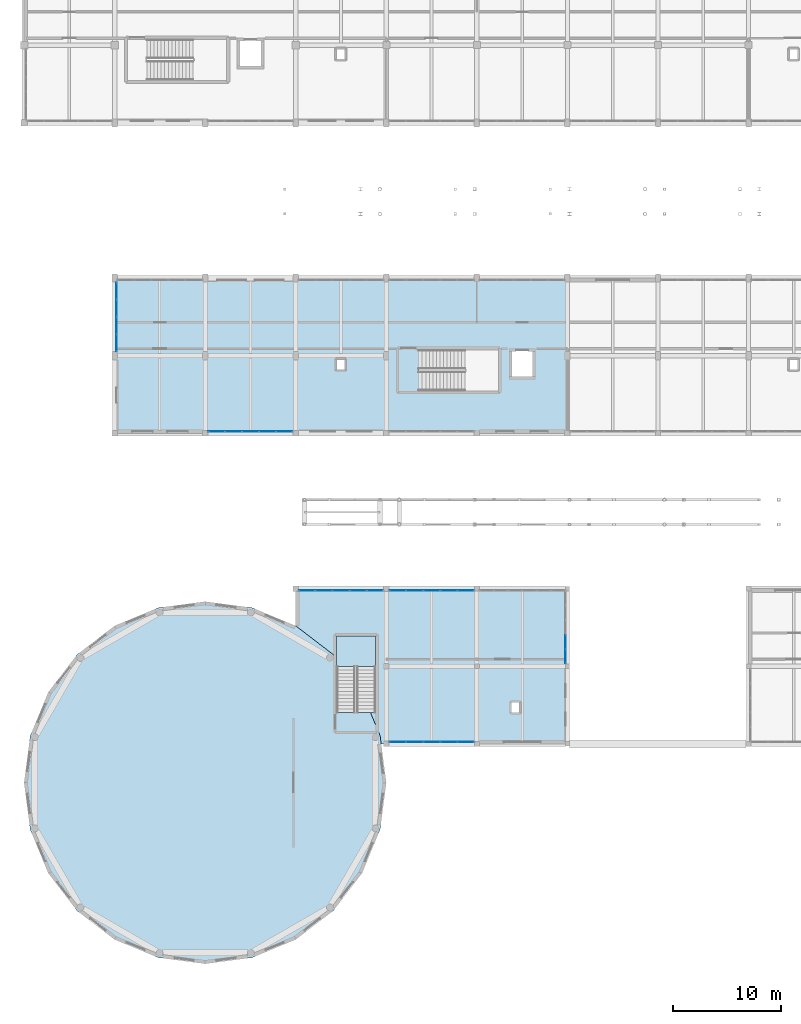
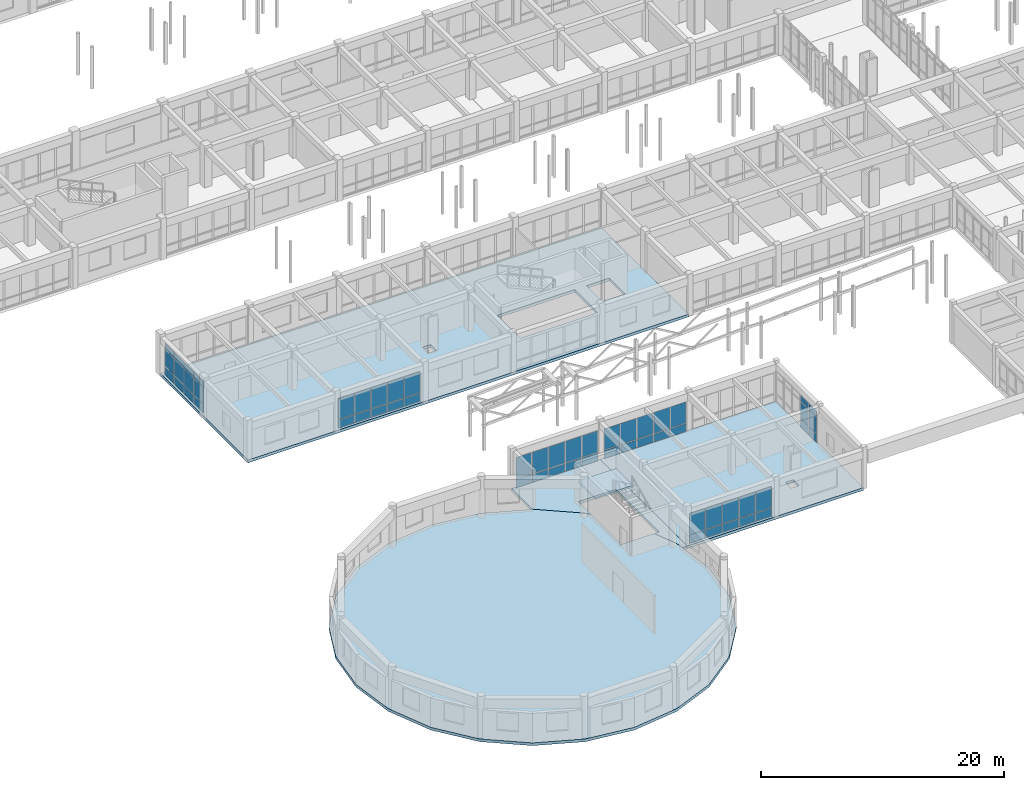
# One storey, part 101 of 147: 58 plates, 5 slabs, 7 elements without a shape of their own.
"""IFC4 building model written with IfcOpenShell, lengths in metres."""

import ifcopenshell
import ifcopenshell.guid

model = None  # the IFC model being written
_history = None  # IfcOwnerHistory: only IFC2X3 demands one
_inside = {}  # id of a spatial element -> (the spatial element, [elements in it])
_under = {}  # id of a project, library or spatial element -> (it, [spatial elements below it])
_declared = {}  # id of a project -> (the project, [libraries it declares])
_typed = {}  # id of a type object -> (the type object, [elements of that type])
_made_of = {}  # id of a material, layer set ... -> (it, [elements and type objects made of it])


def new_model(schema):
    """Start an empty IFC model of exactly this schema.

    Asked for "IFC4X3", IfcOpenShell would pick the latest addendum, in which some entities
    have other attributes; the version numbers below select the first issue.
    IFC2X3 requires an IfcOwnerHistory on every rooted entity: one is made here for all.
    """
    global model, _history
    if schema == "IFC4X3":
        model = ifcopenshell.file(schema_version=(4, 3, 0, 0))
    else:
        model = ifcopenshell.file(schema=schema)
    _inside.clear()
    _under.clear()
    _declared.clear()
    _typed.clear()
    _made_of.clear()
    _history = None
    if model.schema == "IFC2X3":
        org = make("IfcOrganization", Name="unknown")
        user = make(
            "IfcPersonAndOrganization",
            ThePerson=make("IfcPerson", FamilyName="unknown"),
            TheOrganization=org,
        )
        app = make(
            "IfcApplication",
            ApplicationDeveloper=org,
            Version="unknown",
            ApplicationFullName="unknown",
            ApplicationIdentifier="unknown",
        )
        _history = make(
            "IfcOwnerHistory",
            OwningUser=user,
            OwningApplication=app,
            ChangeAction="ADDED",
            CreationDate=0,
        )
    return model


def make(cls, **values):
    """One entity of the class cls with the attributes given. An attribute that is None is left unset."""
    return model.create_entity(
        cls, **{name: value for name, value in values.items() if value is not None}
    )


def rooted(cls, **values):
    """An entity with a GlobalId (a new one), such as an element, a storey or a relation."""
    return make(cls, GlobalId=ifcopenshell.guid.new(), OwnerHistory=_history, **values)


def si_unit(unit_type, name, prefix=None):
    """IfcSIUnit, for example si_unit("LENGTHUNIT", "METRE", prefix="MILLI")."""
    return make("IfcSIUnit", UnitType=unit_type, Prefix=prefix, Name=name)


def assignment(units):
    """IfcUnitAssignment: the units of a project."""
    return None if units is None else make("IfcUnitAssignment", Units=units)


def point(xyz):
    """IfcCartesianPoint."""
    return None if xyz is None else make("IfcCartesianPoint", Coordinates=xyz)


def direction(xyz):
    """IfcDirection."""
    return None if xyz is None else make("IfcDirection", DirectionRatios=xyz)


def frame(location, z_axis=None, x_axis=None):
    """IfcAxis2Placement3D, a coordinate frame: its origin and axes. An axis left out is left unset."""
    return make(
        "IfcAxis2Placement3D",
        Location=point(location),
        Axis=direction(z_axis),
        RefDirection=direction(x_axis),
    )


def frame_2d(location, x_axis=None):
    """IfcAxis2Placement2D, a coordinate frame in the plane: its origin and x axis."""
    return make(
        "IfcAxis2Placement2D", Location=point(location), RefDirection=direction(x_axis)
    )


def origin():
    """The frame at (0, 0, 0) with its axes left unset."""
    return frame((0.0, 0.0, 0.0))


def origin_2d():
    """The frame at (0, 0) in the plane with its x axis left unset."""
    return frame_2d((0.0, 0.0))


def place(relative_to, where):
    """IfcLocalPlacement: puts the frame where relative to a parent placement (None: the world)."""
    return make(
        "IfcLocalPlacement", PlacementRelTo=relative_to, RelativePlacement=where
    )


def context(
    kind, dimensions, precision=None, world=None, true_north=None, identifier=None
):
    """IfcGeometricRepresentationContext, for example the 3D "Model" context."""
    return make(
        "IfcGeometricRepresentationContext",
        ContextIdentifier=identifier,
        ContextType=kind,
        CoordinateSpaceDimension=dimensions,
        Precision=precision,
        WorldCoordinateSystem=world,
        TrueNorth=true_north,
    )


def subcontext(parent, identifier, kind, view, scale=None):
    """IfcGeometricRepresentationSubContext, for example "Body" below "Model"."""
    return make(
        "IfcGeometricRepresentationSubContext",
        ContextIdentifier=identifier,
        ContextType=kind,
        ParentContext=parent,
        TargetScale=scale,
        TargetView=view,
    )


def project(units=None, contexts=None):
    """IfcProject with its units and contexts."""
    return rooted(
        "IfcProject",
        Name="project",
        RepresentationContexts=contexts,
        UnitsInContext=assignment(units),
    )


def spatial(cls, under=None, at=None, **own):
    """A site, building, storey or space (cls), placed at a placement, below another one or the project."""
    s = rooted(cls, ObjectPlacement=at, **own)
    if under is not None:
        _under.setdefault(under.id(), (under, []))[1].append(s)
    return s


def polyline(points):
    """IfcPolyline through the points."""
    return make("IfcPolyline", Points=[point(p) for p in points])


def profile(cls, at=None, kind="AREA", **sizes):
    """A parametric profile (cls). Its sizes go by their IFC names, for example OverallWidth=200.0."""
    return make(cls, ProfileType=kind, Position=at, **sizes)


def rectangle(**sizes):
    """IfcRectangleProfileDef."""
    return profile("IfcRectangleProfileDef", **sizes)


def outline(outer, holes=None, kind="AREA"):
    """IfcArbitraryClosedProfileDef: a profile drawn as a closed curve; with holes, ...WithVoids."""
    if holes is None:
        return make("IfcArbitraryClosedProfileDef", ProfileType=kind, OuterCurve=outer)
    return make(
        "IfcArbitraryProfileDefWithVoids",
        ProfileType=kind,
        OuterCurve=outer,
        InnerCurves=holes,
    )


def extrude(swept, where, along, depth):
    """IfcExtrudedAreaSolid: the profile swept, set in the frame where, extruded along a direction by depth."""
    return make(
        "IfcExtrudedAreaSolid",
        SweptArea=swept,
        Position=where,
        ExtrudedDirection=direction(along),
        Depth=depth,
    )


def shape(context_of_items, identifier, shape_type, items):
    """IfcShapeRepresentation: the items that make up one representation, for example the "Body"."""
    return make(
        "IfcShapeRepresentation",
        ContextOfItems=context_of_items,
        RepresentationIdentifier=identifier,
        RepresentationType=shape_type,
        Items=items,
    )


def material(Name=None, Category=None):
    """IfcMaterial."""
    return make("IfcMaterial", Name=Name, Category=Category)


def layer(
    of_material, thickness, ventilated=None, Name=None, Category=None, Priority=None
):
    """IfcMaterialLayer: one layer of a wall or slab, of a material (None: an air gap)."""
    return make(
        "IfcMaterialLayer",
        Material=of_material,
        LayerThickness=thickness,
        IsVentilated=ventilated,
        Name=Name,
        Category=Category,
        Priority=Priority,
    )


def layer_set(layers, Name=None):
    """IfcMaterialLayerSet."""
    return make("IfcMaterialLayerSet", MaterialLayers=layers, LayerSetName=Name)


def made_of(thing, what):
    """Note that an element or type object is made of a material, layer set ...; save() writes the relation."""
    if what is not None:
        _made_of.setdefault(what.id(), (what, []))[1].append(thing)
    return thing


def type_object(cls, material=None, **own):
    """A type object (cls), such as IfcWallType, which elements share."""
    return made_of(rooted(cls, **own), material)


def element(
    cls,
    number,
    at=None,
    inside=None,
    cuts=None,
    type_object=None,
    material=None,
    context=None,
    identifier="Body",
    shape_type=None,
    held_by="IfcProductDefinitionShape",
    body=None,
    shapes=None,
    **own,
):
    """One element of the class cls, such as IfcWall. Its Tag is "e" and its number.

    at: its placement. inside: the storey or other place that contains it. cuts: it is an
    opening in that element (IfcRelVoidsElement). A single representation is given by context,
    identifier, shape_type and body (its items); several are given by shapes. held_by: the class
    of the entity that holds the representations. save() writes the other relations.
    """
    e = rooted(cls, Tag="e%d" % number, ObjectPlacement=at, **own)
    if body is not None:
        shapes = [shape(context, identifier, shape_type, body)]
    if shapes is not None:
        e.Representation = make(held_by, Representations=shapes)
    if inside is not None:
        _inside.setdefault(inside.id(), (inside, []))[1].append(e)
    if cuts is not None:
        rooted(
            "IfcRelVoidsElement", RelatingBuildingElement=cuts, RelatedOpeningElement=e
        )
    if type_object is not None:
        _typed.setdefault(type_object.id(), (type_object, []))[1].append(e)
    return made_of(e, material)


def aggregate(whole, parts):
    """IfcRelAggregates: a whole, such as a stair, and the parts it consists of."""
    return rooted("IfcRelAggregates", RelatingObject=whole, RelatedObjects=parts)


def save(model, path):
    """Write the relations noted so far, then the file.

    IfcRelAggregates (storeys below a building ...), IfcRelContainedInSpatialStructure (elements
    in a storey), IfcRelDefinesByType, IfcRelAssociatesMaterial and IfcRelDeclares: one each for
    every whole, place, type object, material and project.
    """
    for whole, parts in _under.values():
        aggregate(whole, parts)
    for where, things in _inside.values():
        rooted(
            "IfcRelContainedInSpatialStructure",
            RelatedElements=things,
            RelatingStructure=where,
        )
    for kind, things in _typed.values():
        rooted("IfcRelDefinesByType", RelatedObjects=things, RelatingType=kind)
    for what, things in _made_of.values():
        rooted("IfcRelAssociatesMaterial", RelatedObjects=things, RelatingMaterial=what)
    for by, libraries in _declared.values():
        rooted("IfcRelDeclares", RelatingContext=by, RelatedDefinitions=libraries)
    model.write(path)


model = new_model("IFC4")

# Units and contexts
model_context = context("Model", 3, precision=1e-05, world=origin(), true_north=direction((0.0, 1.0)))
body_context = subcontext(model_context, "Body", "Model", "MODEL_VIEW")
ifc_project = project(units=[si_unit("LENGTHUNIT", "METRE"), si_unit("AREAUNIT", "SQUARE_METRE"), si_unit("VOLUMEUNIT", "CUBIC_METRE"), si_unit("PLANEANGLEUNIT", "RADIAN"), si_unit("MASSUNIT", "GRAM", prefix="KILO")], contexts=[model_context])

# Site, building, storey
site_placement = place(None, origin())
site = spatial("IfcSite", under=ifc_project, at=site_placement, CompositionType="ELEMENT")
building_placement = place(site_placement, origin())
building = spatial("IfcBuilding", under=site, at=building_placement, Name="Malvenik Polytechnic", CompositionType="ELEMENT")
storey_placement = place(building_placement, frame((0.0, 0.0, 5.10009765625)))
storey = spatial("IfcBuildingStorey", under=building, at=storey_placement, Name="L01", CompositionType="ELEMENT", Elevation=5.10009765625)

# Curtain wall, plates
ifc_material_1 = material(Name="Anodised aluminium 6060-T6", Category="aluminium")
curtain_wall_type_1 = type_object("IfcCurtainWallType", Name="ARC-CW-CW-02", PredefinedType="NOTDEFINED", material=ifc_material_1)
curtain_wall_1_placement = place(storey_placement, origin())
curtain_wall_1 = element("IfcCurtainWall", 1, at=curtain_wall_1_placement, inside=storey, type_object=curtain_wall_type_1, Name="Unitised Curtain Wall CW-02 L01 #122", PredefinedType="NOTDEFINED")
ifc_material_2 = material(Name="Insulated low-E double glazing 8-16-8", Category="glass")
ifc_layer_1 = layer(ifc_material_2, 0.028076171875)
ifc_layer_set_1 = layer_set([ifc_layer_1], Name="Insulated low-E double glazing 8-16-8")
plate_type_1 = type_object("IfcPlateType", Name="ARC-CWP-CP-GLZ28", PredefinedType="CURTAIN_PANEL", material=ifc_layer_set_1)
plate_1_placement = place(storey_placement, frame((24.146484375, 50.570068359375, 0.929931640625), z_axis=(0.0, 0.0, 1.0), x_axis=(-1.0, 0.0, 0.0)))
plate_1 = element("IfcPlate", 2, at=plate_1_placement, type_object=plate_type_1, Name="CW-02 panel 1.2", PredefinedType="CURTAIN_PANEL", context=body_context, shape_type="SweptSolid", body=[
    extrude(rectangle(XDim=1.49072265625, YDim=0.028076171875, at=origin_2d()), origin(), (0.0, 0.0, 1.0), 2.1201171875),
])
plate_2_placement = place(storey_placement, frame((22.580810546875, 50.570068359375, 0.929931640625), z_axis=(0.0, 0.0, 1.0), x_axis=(-1.0, 0.0, 0.0)))
plate_2 = element("IfcPlate", 3, at=plate_2_placement, type_object=plate_type_1, Name="CW-02 panel 2.2", PredefinedType="CURTAIN_PANEL", context=body_context, shape_type="SweptSolid", body=[
    extrude(rectangle(XDim=1.520751953125, YDim=0.028076171875, at=origin_2d()), origin(), (0.0, 0.0, 1.0), 2.1201171875),
])
plate_3_placement = place(storey_placement, frame((21.0, 50.570068359375, 0.929931640625), z_axis=(0.0, 0.0, 1.0), x_axis=(-1.0, 0.0, 0.0)))
plate_3 = element("IfcPlate", 4, at=plate_3_placement, type_object=plate_type_1, Name="CW-02 panel 3.2", PredefinedType="CURTAIN_PANEL", context=body_context, shape_type="SweptSolid", body=[
    extrude(rectangle(XDim=1.520751953125, YDim=0.028076171875, at=origin_2d()), origin(), (0.0, 0.0, 1.0), 2.1201171875),
])
plate_4_placement = place(storey_placement, frame((19.419189453125, 50.570068359375, 0.929931640625), z_axis=(0.0, 0.0, 1.0), x_axis=(-1.0, 0.0, 0.0)))
plate_4 = element("IfcPlate", 5, at=plate_4_placement, type_object=plate_type_1, Name="CW-02 panel 4.2", PredefinedType="CURTAIN_PANEL", context=body_context, shape_type="SweptSolid", body=[
    extrude(rectangle(XDim=1.520751953125, YDim=0.028076171875, at=origin_2d()), origin(), (0.0, 0.0, 1.0), 2.1201171875),
])
plate_5_placement = place(storey_placement, frame((17.853515625, 50.570068359375, 0.929931640625), z_axis=(0.0, 0.0, 1.0), x_axis=(-1.0, 0.0, 0.0)))
plate_5 = element("IfcPlate", 6, at=plate_5_placement, type_object=plate_type_1, Name="CW-02 panel 5.2", PredefinedType="CURTAIN_PANEL", context=body_context, shape_type="SweptSolid", body=[
    extrude(rectangle(XDim=1.49072265625, YDim=0.028076171875, at=origin_2d()), origin(), (0.0, 0.0, 1.0), 2.1201171875),
])

curtain_wall_type_2 = type_object("IfcCurtainWallType", Name="ARC-CW-CW-05", PredefinedType="NOTDEFINED", material=ifc_material_1)
curtain_wall_2_placement = place(storey_placement, origin())
curtain_wall_2 = element("IfcCurtainWall", 7, at=curtain_wall_2_placement, inside=storey, type_object=curtain_wall_type_2, Name="Unitised Curtain Wall CW-05 L01 #123", PredefinedType="NOTDEFINED")
plate_6_placement = place(storey_placement, frame((8.570068359375, 58.794677734375, 0.97998046875), z_axis=(0.0, 0.0, 1.0), x_axis=(0.0, 1.0, 0.0)))
plate_6 = element("IfcPlate", 8, at=plate_6_placement, type_object=plate_type_1, Name="CW-05 panel 1.2", PredefinedType="CURTAIN_PANEL", context=body_context, shape_type="SweptSolid", body=[
    extrude(rectangle(XDim=1.5234375, YDim=0.028076171875, at=origin_2d()), origin(), (0.0, 0.0, 1.0), 1.64990234375),
])
plate_7_placement = place(storey_placement, frame((8.570068359375, 58.794677734375, 2.68994140625), z_axis=(0.0, 0.0, 1.0), x_axis=(0.0, 1.0, 0.0)))
plate_7 = element("IfcPlate", 9, at=plate_7_placement, type_object=plate_type_1, Name="CW-05 panel 1.3", PredefinedType="CURTAIN_PANEL", context=body_context, shape_type="SweptSolid", body=[
    extrude(rectangle(XDim=1.5234375, YDim=0.028076171875, at=origin_2d()), origin(), (0.0, 0.0, 1.0), 0.56005859375),
])
plate_8_placement = place(storey_placement, frame((8.570068359375, 60.393310546875, 0.97998046875), z_axis=(0.0, 0.0, 1.0), x_axis=(0.0, 1.0, 0.0)))
plate_8 = element("IfcPlate", 10, at=plate_8_placement, type_object=plate_type_1, Name="CW-05 panel 2.2", PredefinedType="CURTAIN_PANEL", context=body_context, shape_type="SweptSolid", body=[
    extrude(rectangle(XDim=1.553466796875, YDim=0.028076171875, at=origin_2d()), origin(), (0.0, 0.0, 1.0), 1.64990234375),
])
plate_9_placement = place(storey_placement, frame((8.570068359375, 60.393310546875, 2.68994140625), z_axis=(0.0, 0.0, 1.0), x_axis=(0.0, 1.0, 0.0)))
plate_9 = element("IfcPlate", 11, at=plate_9_placement, type_object=plate_type_1, Name="CW-05 panel 2.3", PredefinedType="CURTAIN_PANEL", context=body_context, shape_type="SweptSolid", body=[
    extrude(rectangle(XDim=1.553466796875, YDim=0.028076171875, at=origin_2d()), origin(), (0.0, 0.0, 1.0), 0.56005859375),
])
plate_10_placement = place(storey_placement, frame((8.570068359375, 62.0068359375, 0.97998046875), z_axis=(0.0, 0.0, 1.0), x_axis=(0.0, 1.0, 0.0)))
plate_10 = element("IfcPlate", 12, at=plate_10_placement, type_object=plate_type_1, Name="CW-05 panel 3.2", PredefinedType="CURTAIN_PANEL", context=body_context, shape_type="SweptSolid", body=[
    extrude(rectangle(XDim=1.553466796875, YDim=0.028076171875, at=origin_2d()), origin(), (0.0, 0.0, 1.0), 1.64990234375),
])
plate_11_placement = place(storey_placement, frame((8.570068359375, 62.0068359375, 2.68994140625), z_axis=(0.0, 0.0, 1.0), x_axis=(0.0, 1.0, 0.0)))
plate_11 = element("IfcPlate", 13, at=plate_11_placement, type_object=plate_type_1, Name="CW-05 panel 3.3", PredefinedType="CURTAIN_PANEL", context=body_context, shape_type="SweptSolid", body=[
    extrude(rectangle(XDim=1.553466796875, YDim=0.028076171875, at=origin_2d()), origin(), (0.0, 0.0, 1.0), 0.56005859375),
])
plate_12_placement = place(storey_placement, frame((8.570068359375, 63.605224609375, 0.97998046875), z_axis=(0.0, 0.0, 1.0), x_axis=(0.0, 1.0, 0.0)))
plate_12 = element("IfcPlate", 14, at=plate_12_placement, type_object=plate_type_1, Name="CW-05 panel 4.2", PredefinedType="CURTAIN_PANEL", context=body_context, shape_type="SweptSolid", body=[
    extrude(rectangle(XDim=1.5234375, YDim=0.028076171875, at=origin_2d()), origin(), (0.0, 0.0, 1.0), 1.64990234375),
])
plate_13_placement = place(storey_placement, frame((8.570068359375, 63.605224609375, 2.68994140625), z_axis=(0.0, 0.0, 1.0), x_axis=(0.0, 1.0, 0.0)))
plate_13 = element("IfcPlate", 15, at=plate_13_placement, type_object=plate_type_1, Name="CW-05 panel 4.3", PredefinedType="CURTAIN_PANEL", context=body_context, shape_type="SweptSolid", body=[
    extrude(rectangle(XDim=1.5234375, YDim=0.028076171875, at=origin_2d()), origin(), (0.0, 0.0, 1.0), 0.56005859375),
])

curtain_wall_3_placement = place(storey_placement, origin())
curtain_wall_3 = element("IfcCurtainWall", 16, at=curtain_wall_3_placement, inside=storey, type_object=curtain_wall_type_1, Name="Unitised Curtain Wall CW-02 L01 #130", PredefinedType="NOTDEFINED")
plate_14_placement = place(storey_placement, frame((26.25341796875, 35.830078125, 0.929931640625), z_axis=(0.0, 0.0, 1.0), x_axis=(1.0, 0.0, 0.0)))
plate_14 = element("IfcPlate", 17, at=plate_14_placement, type_object=plate_type_1, Name="CW-02 panel 1.2", PredefinedType="CURTAIN_PANEL", context=body_context, shape_type="SweptSolid", body=[
    extrude(rectangle(XDim=1.49072265625, YDim=0.028076171875, at=origin_2d()), origin(), (0.0, 0.0, 1.0), 2.169921875),
])
plate_15_placement = place(storey_placement, frame((27.819091796875, 35.830078125, 0.929931640625), z_axis=(0.0, 0.0, 1.0), x_axis=(1.0, 0.0, 0.0)))
plate_15 = element("IfcPlate", 18, at=plate_15_placement, type_object=plate_type_1, Name="CW-02 panel 2.2", PredefinedType="CURTAIN_PANEL", context=body_context, shape_type="SweptSolid", body=[
    extrude(rectangle(XDim=1.520751953125, YDim=0.028076171875, at=origin_2d()), origin(), (0.0, 0.0, 1.0), 2.169921875),
])
plate_16_placement = place(storey_placement, frame((29.39990234375, 35.830078125, 0.929931640625), z_axis=(0.0, 0.0, 1.0), x_axis=(1.0, 0.0, 0.0)))
plate_16 = element("IfcPlate", 19, at=plate_16_placement, type_object=plate_type_1, Name="CW-02 panel 3.2", PredefinedType="CURTAIN_PANEL", context=body_context, shape_type="SweptSolid", body=[
    extrude(rectangle(XDim=1.520751953125, YDim=0.028076171875, at=origin_2d()), origin(), (0.0, 0.0, 1.0), 2.169921875),
])
plate_17_placement = place(storey_placement, frame((30.980712890625, 35.830078125, 0.929931640625), z_axis=(0.0, 0.0, 1.0), x_axis=(1.0, 0.0, 0.0)))
plate_17 = element("IfcPlate", 20, at=plate_17_placement, type_object=plate_type_1, Name="CW-02 panel 4.2", PredefinedType="CURTAIN_PANEL", context=body_context, shape_type="SweptSolid", body=[
    extrude(rectangle(XDim=1.520751953125, YDim=0.028076171875, at=origin_2d()), origin(), (0.0, 0.0, 1.0), 2.169921875),
])
plate_18_placement = place(storey_placement, frame((32.546630859375, 35.830078125, 0.929931640625), z_axis=(0.0, 0.0, 1.0), x_axis=(1.0, 0.0, 0.0)))
plate_18 = element("IfcPlate", 21, at=plate_18_placement, type_object=plate_type_1, Name="CW-02 panel 5.2", PredefinedType="CURTAIN_PANEL", context=body_context, shape_type="SweptSolid", body=[
    extrude(rectangle(XDim=1.49072265625, YDim=0.028076171875, at=origin_2d()), origin(), (0.0, 0.0, 1.0), 2.169921875),
])

curtain_wall_4_placement = place(storey_placement, origin())
curtain_wall_4 = element("IfcCurtainWall", 22, at=curtain_wall_4_placement, inside=storey, type_object=curtain_wall_type_1, Name="Unitised Curtain Wall CW-02 L01 #131", PredefinedType="NOTDEFINED")
plate_19_placement = place(storey_placement, frame((34.656005859375, 35.830078125, 0.929931640625), z_axis=(0.0, 0.0, 1.0), x_axis=(1.0, 0.0, 0.0)))
plate_19 = element("IfcPlate", 23, at=plate_19_placement, type_object=plate_type_1, Name="CW-02 panel 1.2", PredefinedType="CURTAIN_PANEL", context=body_context, shape_type="SweptSolid", body=[
    extrude(rectangle(XDim=1.495849609375, YDim=0.028076171875, at=origin_2d()), origin(), (0.0, 0.0, 1.0), 2.1201171875),
])
plate_20_placement = place(storey_placement, frame((36.226806640625, 35.830078125, 0.929931640625), z_axis=(0.0, 0.0, 1.0), x_axis=(1.0, 0.0, 0.0)))
plate_20 = element("IfcPlate", 24, at=plate_20_placement, type_object=plate_type_1, Name="CW-02 panel 2.2", PredefinedType="CURTAIN_PANEL", context=body_context, shape_type="SweptSolid", body=[
    extrude(rectangle(XDim=1.52587890625, YDim=0.028076171875, at=origin_2d()), origin(), (0.0, 0.0, 1.0), 2.1201171875),
])
plate_21_placement = place(storey_placement, frame((37.8125, 35.830078125, 0.929931640625), z_axis=(0.0, 0.0, 1.0), x_axis=(1.0, 0.0, 0.0)))
plate_21 = element("IfcPlate", 25, at=plate_21_placement, type_object=plate_type_1, Name="CW-02 panel 3.2", PredefinedType="CURTAIN_PANEL", context=body_context, shape_type="SweptSolid", body=[
    extrude(rectangle(XDim=1.52587890625, YDim=0.028076171875, at=origin_2d()), origin(), (0.0, 0.0, 1.0), 2.1201171875),
])
plate_22_placement = place(storey_placement, frame((39.398193359375, 35.830078125, 0.929931640625), z_axis=(0.0, 0.0, 1.0), x_axis=(1.0, 0.0, 0.0)))
plate_22 = element("IfcPlate", 26, at=plate_22_placement, type_object=plate_type_1, Name="CW-02 panel 4.2", PredefinedType="CURTAIN_PANEL", context=body_context, shape_type="SweptSolid", body=[
    extrude(rectangle(XDim=1.52587890625, YDim=0.028076171875, at=origin_2d()), origin(), (0.0, 0.0, 1.0), 2.1201171875),
])
plate_23_placement = place(storey_placement, frame((40.968994140625, 35.830078125, 0.929931640625), z_axis=(0.0, 0.0, 1.0), x_axis=(1.0, 0.0, 0.0)))
plate_23 = element("IfcPlate", 27, at=plate_23_placement, type_object=plate_type_1, Name="CW-02 panel 5.2", PredefinedType="CURTAIN_PANEL", context=body_context, shape_type="SweptSolid", body=[
    extrude(rectangle(XDim=1.495849609375, YDim=0.028076171875, at=origin_2d()), origin(), (0.0, 0.0, 1.0), 2.1201171875),
])

curtain_wall_5_placement = place(storey_placement, origin())
curtain_wall_5 = element("IfcCurtainWall", 28, at=curtain_wall_5_placement, inside=storey, type_object=curtain_wall_type_2, Name="Unitised Curtain Wall CW-05 L01 #133", PredefinedType="NOTDEFINED")
plate_24_placement = place(storey_placement, frame((50.22998046875, 31.039306640625, 0.97998046875), z_axis=(0.0, 0.0, 1.0), x_axis=(0.0, -1.0, 0.0)))
plate_24 = element("IfcPlate", 29, at=plate_24_placement, type_object=plate_type_1, Name="CW-05 panel 4.2", PredefinedType="CURTAIN_PANEL", context=body_context, shape_type="SweptSolid", body=[
    extrude(rectangle(XDim=1.30078125, YDim=0.028076171875, at=origin_2d()), origin(), (0.0, 0.0, 1.0), 1.64990234375),
])
plate_25_placement = place(storey_placement, frame((50.22998046875, 31.039306640625, 2.68994140625), z_axis=(0.0, 0.0, 1.0), x_axis=(0.0, -1.0, 0.0)))
plate_25 = element("IfcPlate", 30, at=plate_25_placement, type_object=plate_type_1, Name="CW-05 panel 4.3", PredefinedType="CURTAIN_PANEL", context=body_context, shape_type="SweptSolid", body=[
    extrude(rectangle(XDim=1.30078125, YDim=0.028076171875, at=origin_2d()), origin(), (0.0, 0.0, 1.0), 0.56005859375),
])
plate_26_placement = place(storey_placement, frame((50.22998046875, 29.693359375, 0.97998046875), z_axis=(0.0, 0.0, 1.0), x_axis=(0.0, -1.0, 0.0)))
plate_26 = element("IfcPlate", 31, at=plate_26_placement, type_object=plate_type_1, Name="CW-05 panel 5.2", PredefinedType="CURTAIN_PANEL", context=body_context, shape_type="SweptSolid", body=[
    extrude(rectangle(XDim=1.270751953125, YDim=0.028076171875, at=origin_2d()), origin(), (0.0, 0.0, 1.0), 1.64990234375),
])
plate_27_placement = place(storey_placement, frame((50.22998046875, 29.693359375, 2.68994140625), z_axis=(0.0, 0.0, 1.0), x_axis=(0.0, -1.0, 0.0)))
plate_27 = element("IfcPlate", 32, at=plate_27_placement, type_object=plate_type_1, Name="CW-05 panel 5.3", PredefinedType="CURTAIN_PANEL", context=body_context, shape_type="SweptSolid", body=[
    extrude(rectangle(XDim=1.270751953125, YDim=0.028076171875, at=origin_2d()), origin(), (0.0, 0.0, 1.0), 0.56005859375),
])

curtain_wall_6_placement = place(storey_placement, origin())
curtain_wall_6 = element("IfcCurtainWall", 33, at=curtain_wall_6_placement, inside=storey, type_object=curtain_wall_type_1, Name="Unitised Curtain Wall CW-02 L01 #134", PredefinedType="NOTDEFINED")
plate_28_placement = place(storey_placement, frame((40.968994140625, 21.77001953125, 0.929931640625), z_axis=(0.0, 0.0, 1.0), x_axis=(-1.0, 0.0, 0.0)))
plate_28 = element("IfcPlate", 34, at=plate_28_placement, type_object=plate_type_1, Name="CW-02 panel 1.2", PredefinedType="CURTAIN_PANEL", context=body_context, shape_type="SweptSolid", body=[
    extrude(rectangle(XDim=1.495849609375, YDim=0.028076171875, at=origin_2d()), origin(), (0.0, 0.0, 1.0), 2.1201171875),
])
plate_29_placement = place(storey_placement, frame((39.398193359375, 21.77001953125, 0.929931640625), z_axis=(0.0, 0.0, 1.0), x_axis=(-1.0, 0.0, 0.0)))
plate_29 = element("IfcPlate", 35, at=plate_29_placement, type_object=plate_type_1, Name="CW-02 panel 2.2", PredefinedType="CURTAIN_PANEL", context=body_context, shape_type="SweptSolid", body=[
    extrude(rectangle(XDim=1.52587890625, YDim=0.028076171875, at=origin_2d()), origin(), (0.0, 0.0, 1.0), 2.1201171875),
])
plate_30_placement = place(storey_placement, frame((37.8125, 21.77001953125, 0.929931640625), z_axis=(0.0, 0.0, 1.0), x_axis=(-1.0, 0.0, 0.0)))
plate_30 = element("IfcPlate", 36, at=plate_30_placement, type_object=plate_type_1, Name="CW-02 panel 3.2", PredefinedType="CURTAIN_PANEL", context=body_context, shape_type="SweptSolid", body=[
    extrude(rectangle(XDim=1.52587890625, YDim=0.028076171875, at=origin_2d()), origin(), (0.0, 0.0, 1.0), 2.1201171875),
])
plate_31_placement = place(storey_placement, frame((36.226806640625, 21.77001953125, 0.929931640625), z_axis=(0.0, 0.0, 1.0), x_axis=(-1.0, 0.0, 0.0)))
plate_31 = element("IfcPlate", 37, at=plate_31_placement, type_object=plate_type_1, Name="CW-02 panel 4.2", PredefinedType="CURTAIN_PANEL", context=body_context, shape_type="SweptSolid", body=[
    extrude(rectangle(XDim=1.52587890625, YDim=0.028076171875, at=origin_2d()), origin(), (0.0, 0.0, 1.0), 2.1201171875),
])
plate_32_placement = place(storey_placement, frame((34.656005859375, 21.77001953125, 0.929931640625), z_axis=(0.0, 0.0, 1.0), x_axis=(-1.0, 0.0, 0.0)))
plate_32 = element("IfcPlate", 38, at=plate_32_placement, type_object=plate_type_1, Name="CW-02 panel 5.2", PredefinedType="CURTAIN_PANEL", context=body_context, shape_type="SweptSolid", body=[
    extrude(rectangle(XDim=1.495849609375, YDim=0.028076171875, at=origin_2d()), origin(), (0.0, 0.0, 1.0), 2.1201171875),
])

# Plate
ifc_material_3 = material(Name="Insulated aluminium spandrel cassette 42mm", Category="aluminium")
ifc_layer_2 = layer(ifc_material_3, 0.0419921875)
ifc_layer_set_2 = layer_set([ifc_layer_2], Name="Insulated aluminium spandrel cassette 42mm")
plate_type_2 = type_object("IfcPlateType", Name="ARC-CWP-CP-SPN42", PredefinedType="CURTAIN_PANEL", material=ifc_layer_set_2)
plate_33_placement = place(storey_placement, frame((24.146484375, 50.570068359375, 0.059814453125), z_axis=(0.0, 0.0, 1.0), x_axis=(-1.0, 0.0, 0.0)))
plate_33 = element("IfcPlate", 39, at=plate_33_placement, type_object=plate_type_2, Name="CW-02 panel 1.1", PredefinedType="CURTAIN_PANEL", context=body_context, shape_type="SweptSolid", body=[
    extrude(rectangle(XDim=1.49072265625, YDim=0.028076171875, at=origin_2d()), origin(), (0.0, 0.0, 1.0), 0.81005859375),
])

plate_34_placement = place(storey_placement, frame((22.580810546875, 50.570068359375, 0.059814453125), z_axis=(0.0, 0.0, 1.0), x_axis=(-1.0, 0.0, 0.0)))
plate_34 = element("IfcPlate", 40, at=plate_34_placement, type_object=plate_type_2, Name="CW-02 panel 2.1", PredefinedType="CURTAIN_PANEL", context=body_context, shape_type="SweptSolid", body=[
    extrude(rectangle(XDim=1.520751953125, YDim=0.028076171875, at=origin_2d()), origin(), (0.0, 0.0, 1.0), 0.81005859375),
])

plate_35_placement = place(storey_placement, frame((21.0, 50.570068359375, 0.059814453125), z_axis=(0.0, 0.0, 1.0), x_axis=(-1.0, 0.0, 0.0)))
plate_35 = element("IfcPlate", 41, at=plate_35_placement, type_object=plate_type_2, Name="CW-02 panel 3.1", PredefinedType="CURTAIN_PANEL", context=body_context, shape_type="SweptSolid", body=[
    extrude(rectangle(XDim=1.520751953125, YDim=0.028076171875, at=origin_2d()), origin(), (0.0, 0.0, 1.0), 0.81005859375),
])

plate_36_placement = place(storey_placement, frame((19.419189453125, 50.570068359375, 0.059814453125), z_axis=(0.0, 0.0, 1.0), x_axis=(-1.0, 0.0, 0.0)))
plate_36 = element("IfcPlate", 42, at=plate_36_placement, type_object=plate_type_2, Name="CW-02 panel 4.1", PredefinedType="CURTAIN_PANEL", context=body_context, shape_type="SweptSolid", body=[
    extrude(rectangle(XDim=1.520751953125, YDim=0.028076171875, at=origin_2d()), origin(), (0.0, 0.0, 1.0), 0.81005859375),
])

plate_37_placement = place(storey_placement, frame((17.853515625, 50.570068359375, 0.059814453125), z_axis=(0.0, 0.0, 1.0), x_axis=(-1.0, 0.0, 0.0)))
plate_37 = element("IfcPlate", 43, at=plate_37_placement, type_object=plate_type_2, Name="CW-02 panel 5.1", PredefinedType="CURTAIN_PANEL", context=body_context, shape_type="SweptSolid", body=[
    extrude(rectangle(XDim=1.49072265625, YDim=0.028076171875, at=origin_2d()), origin(), (0.0, 0.0, 1.0), 0.81005859375),
])

aggregate(curtain_wall_1, [plate_33, plate_1, plate_34, plate_2, plate_35, plate_3, plate_36, plate_4, plate_37, plate_5])

plate_38_placement = place(storey_placement, frame((8.570068359375, 58.794677734375, 0.06005859375), z_axis=(0.0, 0.0, 1.0), x_axis=(0.0, 1.0, 0.0)))
plate_38 = element("IfcPlate", 44, at=plate_38_placement, type_object=plate_type_2, Name="CW-05 panel 1.1", PredefinedType="CURTAIN_PANEL", context=body_context, shape_type="SweptSolid", body=[
    extrude(rectangle(XDim=1.5234375, YDim=0.028076171875, at=origin_2d()), origin(), (0.0, 0.0, 1.0), 0.860107421875),
])

plate_39_placement = place(storey_placement, frame((8.570068359375, 60.393310546875, 0.06005859375), z_axis=(0.0, 0.0, 1.0), x_axis=(0.0, 1.0, 0.0)))
plate_39 = element("IfcPlate", 45, at=plate_39_placement, type_object=plate_type_2, Name="CW-05 panel 2.1", PredefinedType="CURTAIN_PANEL", context=body_context, shape_type="SweptSolid", body=[
    extrude(rectangle(XDim=1.553466796875, YDim=0.028076171875, at=origin_2d()), origin(), (0.0, 0.0, 1.0), 0.860107421875),
])

plate_40_placement = place(storey_placement, frame((8.570068359375, 62.0068359375, 0.06005859375), z_axis=(0.0, 0.0, 1.0), x_axis=(0.0, 1.0, 0.0)))
plate_40 = element("IfcPlate", 46, at=plate_40_placement, type_object=plate_type_2, Name="CW-05 panel 3.1", PredefinedType="CURTAIN_PANEL", context=body_context, shape_type="SweptSolid", body=[
    extrude(rectangle(XDim=1.553466796875, YDim=0.028076171875, at=origin_2d()), origin(), (0.0, 0.0, 1.0), 0.860107421875),
])

plate_41_placement = place(storey_placement, frame((8.570068359375, 63.605224609375, 0.06005859375), z_axis=(0.0, 0.0, 1.0), x_axis=(0.0, 1.0, 0.0)))
plate_41 = element("IfcPlate", 47, at=plate_41_placement, type_object=plate_type_2, Name="CW-05 panel 4.1", PredefinedType="CURTAIN_PANEL", context=body_context, shape_type="SweptSolid", body=[
    extrude(rectangle(XDim=1.5234375, YDim=0.028076171875, at=origin_2d()), origin(), (0.0, 0.0, 1.0), 0.860107421875),
])

aggregate(curtain_wall_2, [plate_38, plate_6, plate_7, plate_39, plate_8, plate_9, plate_40, plate_10, plate_11, plate_41, plate_12, plate_13])

plate_42_placement = place(storey_placement, frame((26.25341796875, 35.830078125, 0.059814453125), z_axis=(0.0, 0.0, 1.0), x_axis=(1.0, 0.0, 0.0)))
plate_42 = element("IfcPlate", 48, at=plate_42_placement, type_object=plate_type_2, Name="CW-02 panel 1.1", PredefinedType="CURTAIN_PANEL", context=body_context, shape_type="SweptSolid", body=[
    extrude(rectangle(XDim=1.49072265625, YDim=0.028076171875, at=origin_2d()), origin(), (0.0, 0.0, 1.0), 0.81005859375),
])

plate_43_placement = place(storey_placement, frame((27.819091796875, 35.830078125, 0.059814453125), z_axis=(0.0, 0.0, 1.0), x_axis=(1.0, 0.0, 0.0)))
plate_43 = element("IfcPlate", 49, at=plate_43_placement, type_object=plate_type_2, Name="CW-02 panel 2.1", PredefinedType="CURTAIN_PANEL", context=body_context, shape_type="SweptSolid", body=[
    extrude(rectangle(XDim=1.520751953125, YDim=0.028076171875, at=origin_2d()), origin(), (0.0, 0.0, 1.0), 0.81005859375),
])

plate_44_placement = place(storey_placement, frame((29.39990234375, 35.830078125, 0.059814453125), z_axis=(0.0, 0.0, 1.0), x_axis=(1.0, 0.0, 0.0)))
plate_44 = element("IfcPlate", 50, at=plate_44_placement, type_object=plate_type_2, Name="CW-02 panel 3.1", PredefinedType="CURTAIN_PANEL", context=body_context, shape_type="SweptSolid", body=[
    extrude(rectangle(XDim=1.520751953125, YDim=0.028076171875, at=origin_2d()), origin(), (0.0, 0.0, 1.0), 0.81005859375),
])

plate_45_placement = place(storey_placement, frame((30.980712890625, 35.830078125, 0.059814453125), z_axis=(0.0, 0.0, 1.0), x_axis=(1.0, 0.0, 0.0)))
plate_45 = element("IfcPlate", 51, at=plate_45_placement, type_object=plate_type_2, Name="CW-02 panel 4.1", PredefinedType="CURTAIN_PANEL", context=body_context, shape_type="SweptSolid", body=[
    extrude(rectangle(XDim=1.520751953125, YDim=0.028076171875, at=origin_2d()), origin(), (0.0, 0.0, 1.0), 0.81005859375),
])

plate_46_placement = place(storey_placement, frame((32.546630859375, 35.830078125, 0.059814453125), z_axis=(0.0, 0.0, 1.0), x_axis=(1.0, 0.0, 0.0)))
plate_46 = element("IfcPlate", 52, at=plate_46_placement, type_object=plate_type_2, Name="CW-02 panel 5.1", PredefinedType="CURTAIN_PANEL", context=body_context, shape_type="SweptSolid", body=[
    extrude(rectangle(XDim=1.49072265625, YDim=0.028076171875, at=origin_2d()), origin(), (0.0, 0.0, 1.0), 0.81005859375),
])

aggregate(curtain_wall_3, [plate_42, plate_14, plate_43, plate_15, plate_44, plate_16, plate_45, plate_17, plate_46, plate_18])

plate_47_placement = place(storey_placement, frame((34.656005859375, 35.830078125, 0.059814453125), z_axis=(0.0, 0.0, 1.0), x_axis=(1.0, 0.0, 0.0)))
plate_47 = element("IfcPlate", 53, at=plate_47_placement, type_object=plate_type_2, Name="CW-02 panel 1.1", PredefinedType="CURTAIN_PANEL", context=body_context, shape_type="SweptSolid", body=[
    extrude(rectangle(XDim=1.495849609375, YDim=0.028076171875, at=origin_2d()), origin(), (0.0, 0.0, 1.0), 0.81005859375),
])

plate_48_placement = place(storey_placement, frame((36.226806640625, 35.830078125, 0.059814453125), z_axis=(0.0, 0.0, 1.0), x_axis=(1.0, 0.0, 0.0)))
plate_48 = element("IfcPlate", 54, at=plate_48_placement, type_object=plate_type_2, Name="CW-02 panel 2.1", PredefinedType="CURTAIN_PANEL", context=body_context, shape_type="SweptSolid", body=[
    extrude(rectangle(XDim=1.52587890625, YDim=0.028076171875, at=origin_2d()), origin(), (0.0, 0.0, 1.0), 0.81005859375),
])

plate_49_placement = place(storey_placement, frame((37.8125, 35.830078125, 0.059814453125), z_axis=(0.0, 0.0, 1.0), x_axis=(1.0, 0.0, 0.0)))
plate_49 = element("IfcPlate", 55, at=plate_49_placement, type_object=plate_type_2, Name="CW-02 panel 3.1", PredefinedType="CURTAIN_PANEL", context=body_context, shape_type="SweptSolid", body=[
    extrude(rectangle(XDim=1.52587890625, YDim=0.028076171875, at=origin_2d()), origin(), (0.0, 0.0, 1.0), 0.81005859375),
])

plate_50_placement = place(storey_placement, frame((39.398193359375, 35.830078125, 0.059814453125), z_axis=(0.0, 0.0, 1.0), x_axis=(1.0, 0.0, 0.0)))
plate_50 = element("IfcPlate", 56, at=plate_50_placement, type_object=plate_type_2, Name="CW-02 panel 4.1", PredefinedType="CURTAIN_PANEL", context=body_context, shape_type="SweptSolid", body=[
    extrude(rectangle(XDim=1.52587890625, YDim=0.028076171875, at=origin_2d()), origin(), (0.0, 0.0, 1.0), 0.81005859375),
])

plate_51_placement = place(storey_placement, frame((40.968994140625, 35.830078125, 0.059814453125), z_axis=(0.0, 0.0, 1.0), x_axis=(1.0, 0.0, 0.0)))
plate_51 = element("IfcPlate", 57, at=plate_51_placement, type_object=plate_type_2, Name="CW-02 panel 5.1", PredefinedType="CURTAIN_PANEL", context=body_context, shape_type="SweptSolid", body=[
    extrude(rectangle(XDim=1.495849609375, YDim=0.028076171875, at=origin_2d()), origin(), (0.0, 0.0, 1.0), 0.81005859375),
])

aggregate(curtain_wall_4, [plate_47, plate_19, plate_48, plate_20, plate_49, plate_21, plate_50, plate_22, plate_51, plate_23])

plate_52_placement = place(storey_placement, frame((50.22998046875, 31.039306640625, 0.06005859375), z_axis=(0.0, 0.0, 1.0), x_axis=(0.0, -1.0, 0.0)))
plate_52 = element("IfcPlate", 58, at=plate_52_placement, type_object=plate_type_2, Name="CW-05 panel 4.1", PredefinedType="CURTAIN_PANEL", context=body_context, shape_type="SweptSolid", body=[
    extrude(rectangle(XDim=1.30078125, YDim=0.028076171875, at=origin_2d()), origin(), (0.0, 0.0, 1.0), 0.860107421875),
])

plate_53_placement = place(storey_placement, frame((50.22998046875, 29.693359375, 0.06005859375), z_axis=(0.0, 0.0, 1.0), x_axis=(0.0, -1.0, 0.0)))
plate_53 = element("IfcPlate", 59, at=plate_53_placement, type_object=plate_type_2, Name="CW-05 panel 5.1", PredefinedType="CURTAIN_PANEL", context=body_context, shape_type="SweptSolid", body=[
    extrude(rectangle(XDim=1.270751953125, YDim=0.028076171875, at=origin_2d()), origin(), (0.0, 0.0, 1.0), 0.860107421875),
])

aggregate(curtain_wall_5, [plate_52, plate_24, plate_25, plate_53, plate_26, plate_27])

plate_54_placement = place(storey_placement, frame((40.968994140625, 21.77001953125, 0.059814453125), z_axis=(0.0, 0.0, 1.0), x_axis=(-1.0, 0.0, 0.0)))
plate_54 = element("IfcPlate", 60, at=plate_54_placement, type_object=plate_type_2, Name="CW-02 panel 1.1", PredefinedType="CURTAIN_PANEL", context=body_context, shape_type="SweptSolid", body=[
    extrude(rectangle(XDim=1.495849609375, YDim=0.028076171875, at=origin_2d()), origin(), (0.0, 0.0, 1.0), 0.81005859375),
])

plate_55_placement = place(storey_placement, frame((39.398193359375, 21.77001953125, 0.059814453125), z_axis=(0.0, 0.0, 1.0), x_axis=(-1.0, 0.0, 0.0)))
plate_55 = element("IfcPlate", 61, at=plate_55_placement, type_object=plate_type_2, Name="CW-02 panel 2.1", PredefinedType="CURTAIN_PANEL", context=body_context, shape_type="SweptSolid", body=[
    extrude(rectangle(XDim=1.52587890625, YDim=0.028076171875, at=origin_2d()), origin(), (0.0, 0.0, 1.0), 0.81005859375),
])

plate_56_placement = place(storey_placement, frame((37.8125, 21.77001953125, 0.059814453125), z_axis=(0.0, 0.0, 1.0), x_axis=(-1.0, 0.0, 0.0)))
plate_56 = element("IfcPlate", 62, at=plate_56_placement, type_object=plate_type_2, Name="CW-02 panel 3.1", PredefinedType="CURTAIN_PANEL", context=body_context, shape_type="SweptSolid", body=[
    extrude(rectangle(XDim=1.52587890625, YDim=0.028076171875, at=origin_2d()), origin(), (0.0, 0.0, 1.0), 0.81005859375),
])

plate_57_placement = place(storey_placement, frame((36.226806640625, 21.77001953125, 0.059814453125), z_axis=(0.0, 0.0, 1.0), x_axis=(-1.0, 0.0, 0.0)))
plate_57 = element("IfcPlate", 63, at=plate_57_placement, type_object=plate_type_2, Name="CW-02 panel 4.1", PredefinedType="CURTAIN_PANEL", context=body_context, shape_type="SweptSolid", body=[
    extrude(rectangle(XDim=1.52587890625, YDim=0.028076171875, at=origin_2d()), origin(), (0.0, 0.0, 1.0), 0.81005859375),
])

plate_58_placement = place(storey_placement, frame((34.656005859375, 21.77001953125, 0.059814453125), z_axis=(0.0, 0.0, 1.0), x_axis=(-1.0, 0.0, 0.0)))
plate_58 = element("IfcPlate", 64, at=plate_58_placement, type_object=plate_type_2, Name="CW-02 panel 5.1", PredefinedType="CURTAIN_PANEL", context=body_context, shape_type="SweptSolid", body=[
    extrude(rectangle(XDim=1.495849609375, YDim=0.028076171875, at=origin_2d()), origin(), (0.0, 0.0, 1.0), 0.81005859375),
])

aggregate(curtain_wall_6, [plate_54, plate_28, plate_55, plate_29, plate_56, plate_30, plate_57, plate_31, plate_58, plate_32])

# Stair, slab
ifc_material_4 = material(Name="Concrete C35/45", Category="concrete")
stair_type = type_object("IfcStairType", Name="ARC-STR-ST-09", PredefinedType="HALF_TURN_STAIR", material=ifc_material_4)
stair_placement = place(storey_placement, origin())
stair = element("IfcStair", 65, at=stair_placement, inside=storey, type_object=stair_type, Name="L01 Escape Stair ST-09", PredefinedType="HALF_TURN_STAIR")
ifc_layer_3 = layer(ifc_material_4, 0.199951171875)
ifc_layer_set_3 = layer_set([ifc_layer_3], Name="Concrete C35/45")
slab_type_1 = type_object("IfcSlabType", Name="ARC-SLB-STLND", PredefinedType="LANDING", material=ifc_layer_set_3)
slab_1_placement = place(storey_placement, frame((0.0, 0.0, 1.89990234375)))
slab_1 = element("IfcSlab", 66, at=slab_1_placement, type_object=slab_type_1, Name="ST-09 landing 1", PredefinedType="LANDING", context=body_context, shape_type="SweptSolid", body=[
    extrude(outline(polyline([(32.60009765625, 28.7900390625), (32.60009765625, 31.60009765625), (29.0, 31.60009765625), (29.0, 28.7900390625), (32.60009765625, 28.7900390625)])), origin(), (0.0, 0.0, 1.0), 0.199951171875),
])
aggregate(stair, [slab_1])

# Slabs
ifc_layer_4 = layer(ifc_material_4, 0.280029296875)
ifc_layer_set_4 = layer_set([ifc_layer_4], Name="Concrete C35/45")
slab_type_2 = type_object("IfcSlabType", Name="STR-SLB-FLR-280", PredefinedType="FLOOR", material=ifc_layer_set_4)
slab_2_placement = place(storey_placement, frame((0.0, 0.0, -0.280029296875)))
element("IfcSlab", 67, at=slab_2_placement, inside=storey, type_object=slab_type_2, Name="Structural Slab L01-V3 #52", PredefinedType="FLOOR", context=body_context, shape_type="SweptSolid", body=[
    extrude(outline(polyline([(50.3798828125, 64.800048828125), (50.3798828125, 50.39990234375), (8.39990234375, 50.39990234375), (8.39990234375, 64.800048828125), (50.3798828125, 64.800048828125)]), holes=[polyline([(44.0, 54.35009765625), (44.0, 58.14990234375), (36.617919921875, 58.14990234375), (36.617919921875, 54.35009765625), (44.0, 54.35009765625)]), polyline([(29.75, 57.25), (29.0, 57.25), (29.0, 56.300048828125), (29.75, 56.300048828125), (29.75, 57.25)]), polyline([(47.300048828125, 58.14990234375), (45.10009765625, 58.14990234375), (45.10009765625, 55.550048828125), (47.300048828125, 55.550048828125), (47.300048828125, 58.14990234375)])]), origin(), (0.0, 0.0, 1.0), 0.280029296875),
])
slab_3_placement = place(storey_placement, frame((0.0, 0.0, -0.280029296875)))
element("IfcSlab", 68, at=slab_3_placement, inside=storey, type_object=slab_type_2, Name="Structural Slab L01-V4-W #55", PredefinedType="FLOOR", context=body_context, shape_type="SweptSolid", body=[
    extrude(outline(polyline([(50.3798828125, 36.0), (50.3798828125, 21.60009765625), (33.60009765625, 21.60009765625), (33.60009765625, 36.0), (50.3798828125, 36.0)]), holes=[polyline([(45.949951171875, 25.449951171875), (45.199951171875, 25.449951171875), (45.199951171875, 24.5), (45.949951171875, 24.5), (45.949951171875, 25.449951171875)])]), origin(), (0.0, 0.0, 1.0), 0.280029296875),
])
slab_4_placement = place(storey_placement, frame((0.0, 0.0, -0.280029296875)))
element("IfcSlab", 69, at=slab_4_placement, inside=storey, type_object=slab_type_2, Name="Structural Slab L01-V6 #65", PredefinedType="FLOOR", context=body_context, shape_type="SweptSolid", body=[
    extrude(outline(polyline([(28.679443359375, 6.12060546875), (25.199951171875, 3.45068359375), (21.148193359375, 1.7724609375), (16.800048828125, 1.199951171875), (12.451904296875, 1.7724609375), (8.39990234375, 3.45068359375), (4.920654296875, 6.12060546875), (2.250732421875, 9.60009765625), (0.572509765625, 13.65185546875), (0.0, 18.0), (0.572509765625, 22.34814453125), (2.250732421875, 26.39990234375), (4.920654296875, 29.87939453125), (8.39990234375, 32.54931640625), (12.451904296875, 34.2275390625), (16.800048828125, 34.800048828125), (21.148193359375, 34.2275390625), (25.199951171875, 32.54931640625), (28.679443359375, 29.87939453125), (29.0, 29.461669921875), (29.0, 24.51806640625), (32.12890625, 24.51806640625), (33.027587890625, 22.34814453125), (33.60009765625, 18.0), (33.027587890625, 13.65185546875), (31.34912109375, 9.60009765625), (28.679443359375, 6.12060546875)])), origin(), (0.0, 0.0, 1.0), 0.280029296875),
])
slab_5_placement = place(storey_placement, frame((0.0, 0.0, -0.280029296875)))
element("IfcSlab", 70, at=slab_5_placement, inside=storey, type_object=slab_type_2, Name="Structural Slab L01-V6-LINK #66", PredefinedType="FLOOR", context=body_context, shape_type="SweptSolid", body=[
    extrude(outline(polyline([(33.027587890625, 22.34814453125), (32.12890625, 24.51806640625), (32.60009765625, 24.51806640625), (32.60009765625, 31.60009765625), (29.0, 31.60009765625), (29.0, 29.461669921875), (28.679443359375, 29.87939453125), (25.199951171875, 32.54931640625), (25.199951171875, 36.0), (33.60009765625, 36.0), (33.60009765625, 21.60009765625), (33.126220703125, 21.60009765625), (33.027587890625, 22.34814453125)])), origin(), (0.0, 0.0, 1.0), 0.280029296875),
])

save(model, "model.ifc")
